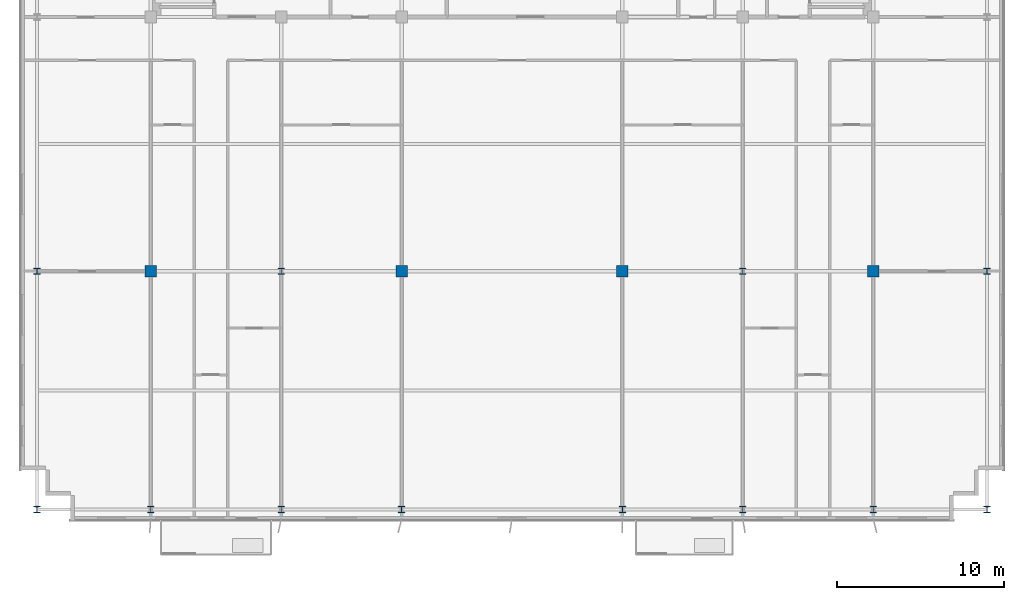
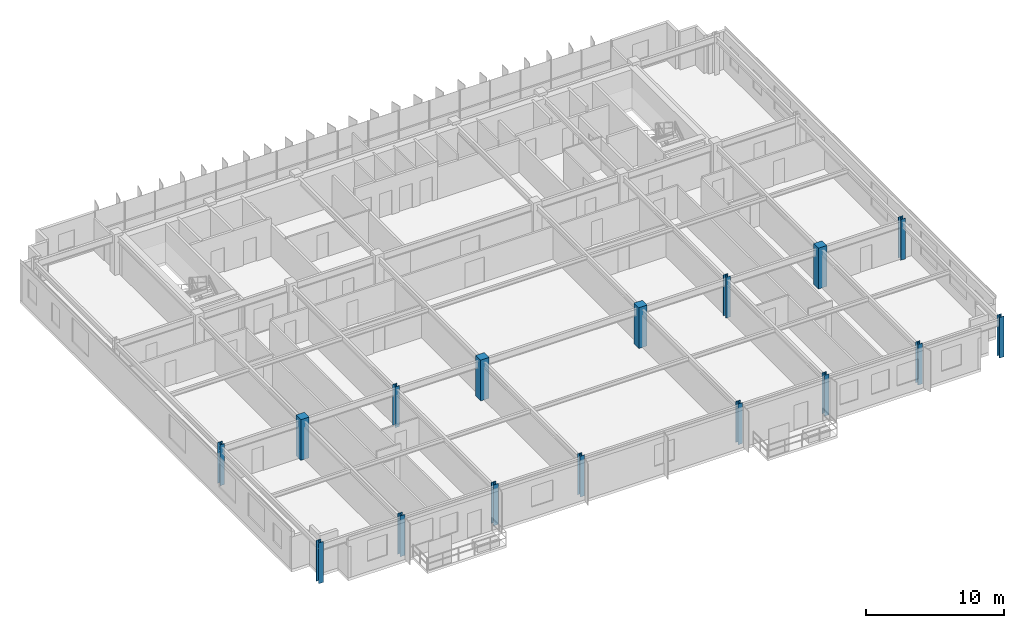
# One storey, part 1 of 20: 16 columns.
"""IFC4 building model written with IfcOpenShell, lengths in metres."""

from ifc_helpers import new_model, si_unit, direction, frame, origin, origin_2d, place, context, subcontext, project, spatial, rectangle, i_section, extrude, source, transform, mapped, material, material_profile, profile_set, type_object, element, save


model = new_model("IFC4")

# Units and contexts
model_context = context("Model", 3, precision=1e-05, world=origin(), true_north=direction((0.0, 1.0)))
body_context = subcontext(model_context, "Body", "Model", "MODEL_VIEW")
ifc_project = project(units=[si_unit("LENGTHUNIT", "METRE"), si_unit("AREAUNIT", "SQUARE_METRE"), si_unit("VOLUMEUNIT", "CUBIC_METRE"), si_unit("PLANEANGLEUNIT", "RADIAN"), si_unit("MASSUNIT", "GRAM", prefix="KILO")], contexts=[model_context])

# Site, building, storey
site_placement = place(None, origin())
site = spatial("IfcSite", under=ifc_project, at=site_placement, CompositionType="ELEMENT")
building_placement = place(site_placement, origin())
building = spatial("IfcBuilding", under=site, at=building_placement, Name="Trelvane Seafront Commons", CompositionType="ELEMENT")
storey_placement = place(building_placement, frame((0.0, 0.0, 150.10009765625)))
storey = spatial("IfcBuildingStorey", under=building, at=storey_placement, Name="L39", CompositionType="ELEMENT", Elevation=150.10009765625)

# Columns
ifc_material_1 = material(Name="Steel SM355 (S355)", Category="steel")
ifc_material_profile_1 = material_profile(ifc_material_1, i_section(OverallWidth=0.3798828125, OverallDepth=0.3798828125, WebThickness=0.02001953125, FlangeThickness=0.030029296875, at=origin_2d()), Name="HD-380x380x20x30")
ifc_profile_set_1 = profile_set([ifc_material_profile_1], Name="Steel SM355 (S355)")
column_type_1 = type_object("IfcColumnType", Name="STR-COL-HD380", PredefinedType="COLUMN", material=ifc_profile_set_1)
shared_shape_1 = source(origin(), body_context, "Body", "SweptSolid", [
    extrude(i_section(OverallWidth=0.3798828125, OverallDepth=0.3798828125, WebThickness=0.02001953125, FlangeThickness=0.030029296875, at=origin_2d()), origin(), (0.0, 0.0, 1.0), 3.599853515625),
])
for number, where, z_axis, x_axis, name in (
    (1, (8.800048828125, 3.949951171875, 0.0), (0.0, 0.0, 1.0), (1.0, 0.0, 0.0), "L39 Column TC-S8.8"),
    (2, (8.800048828125, 18.199951171875, 0.0), (0.0, 0.0, 1.0), (1.0, 0.0, 0.0), "L39 Column TC-M8.8"),
    (3, (15.60009765625, 3.949951171875, 0.0), (0.0, 0.0, 1.0), (1.0, 0.0, 0.0), "L39 Column TC-S15.6"),
    (4, (23.39990234375, 3.949951171875, 0.0), (0.0, 0.0, 1.0), (1.0, 0.0, 0.0), "L39 Column TC-S23.4"),
    (5, (23.39990234375, 18.199951171875, 0.0), (0.0, 0.0, 1.0), (1.0, 0.0, 0.0), "L39 Column TC-M23.4"),
    (6, (30.60009765625, 3.949951171875, 0.0), (0.0, 0.0, 1.0), (1.0, 0.0, 0.0), "L39 Column TC-S30.6"),
    (7, (43.800048828125, 3.949951171875, 0.0), (0.0, 0.0, 1.0), (1.0, 0.0, 0.0), "L39 Column TC-S43.8"),
    (8, (51.0, 3.949951171875, 0.0), (0.0, 0.0, 1.0), (1.0, 0.0, 0.0), "L39 Column TC-S51.0"),
    (9, (51.0, 18.199951171875, 0.0), (0.0, 0.0, 1.0), (1.0, 0.0, 0.0), "L39 Column TC-M51.0"),
    (10, (58.800048828125, 3.949951171875, 0.0), (0.0, 0.0, 1.0), (1.0, 0.0, 0.0), "L39 Column TC-S58.8"),
    (11, (65.60009765625, 3.949951171875, 0.0), (0.0, 0.0, 1.0), (1.0, 0.0, 0.0), "L39 Column TC-S65.6"),
    (12, (65.60009765625, 18.199951171875, 0.0), (0.0, 0.0, 1.0), (1.0, 0.0, 0.0), "L39 Column TC-M65.6"),
):
    element("IfcColumn", number, at=place(storey_placement, frame(where, z_axis=z_axis, x_axis=x_axis)), inside=storey, type_object=column_type_1, Name=name, PredefinedType="COLUMN", context=body_context, shape_type="MappedRepresentation", body=[
        mapped(shared_shape_1, transform((0.0, 0.0, 0.0), x_axis=(1.0, 0.0, 0.0), y_axis=(0.0, 1.0, 0.0), z_axis=(0.0, 0.0, 1.0), scale=1.0)),
    ])
ifc_material_2 = material(Name="Concrete C50/60", Category="concrete")
ifc_material_profile_2 = material_profile(ifc_material_2, rectangle(XDim=0.699951171875, YDim=0.699951171875, at=origin_2d()), Name="RC-700x700")
ifc_profile_set_2 = profile_set([ifc_material_profile_2], Name="Concrete C50/60")
column_type_2 = type_object("IfcColumnType", Name="STR-COL-RC700", PredefinedType="COLUMN", material=ifc_profile_set_2)
shared_shape_2 = source(origin(), body_context, "Body", "SweptSolid", [
    extrude(rectangle(XDim=0.699951171875, YDim=0.699951171875, at=origin_2d()), origin(), (0.0, 0.0, 1.0), 3.599853515625),
])
for number, where, z_axis, x_axis, name in (
    (13, (15.60009765625, 18.199951171875, 0.0), (0.0, 0.0, 1.0), (1.0, 0.0, 0.0), "L39 Column TC-M15.6"),
    (14, (30.60009765625, 18.199951171875, 0.0), (0.0, 0.0, 1.0), (1.0, 0.0, 0.0), "L39 Column TC-M30.6"),
    (15, (43.800048828125, 18.199951171875, 0.0), (0.0, 0.0, 1.0), (1.0, 0.0, 0.0), "L39 Column TC-M43.8"),
    (16, (58.800048828125, 18.199951171875, 0.0), (0.0, 0.0, 1.0), (1.0, 0.0, 0.0), "L39 Column TC-M58.8"),
):
    element("IfcColumn", number, at=place(storey_placement, frame(where, z_axis=z_axis, x_axis=x_axis)), inside=storey, type_object=column_type_2, Name=name, PredefinedType="COLUMN", context=body_context, shape_type="MappedRepresentation", body=[
        mapped(shared_shape_2, transform((0.0, 0.0, 0.0), x_axis=(1.0, 0.0, 0.0), y_axis=(0.0, 1.0, 0.0), z_axis=(0.0, 0.0, 1.0), scale=1.0)),
    ])

save(model, "model.ifc")
